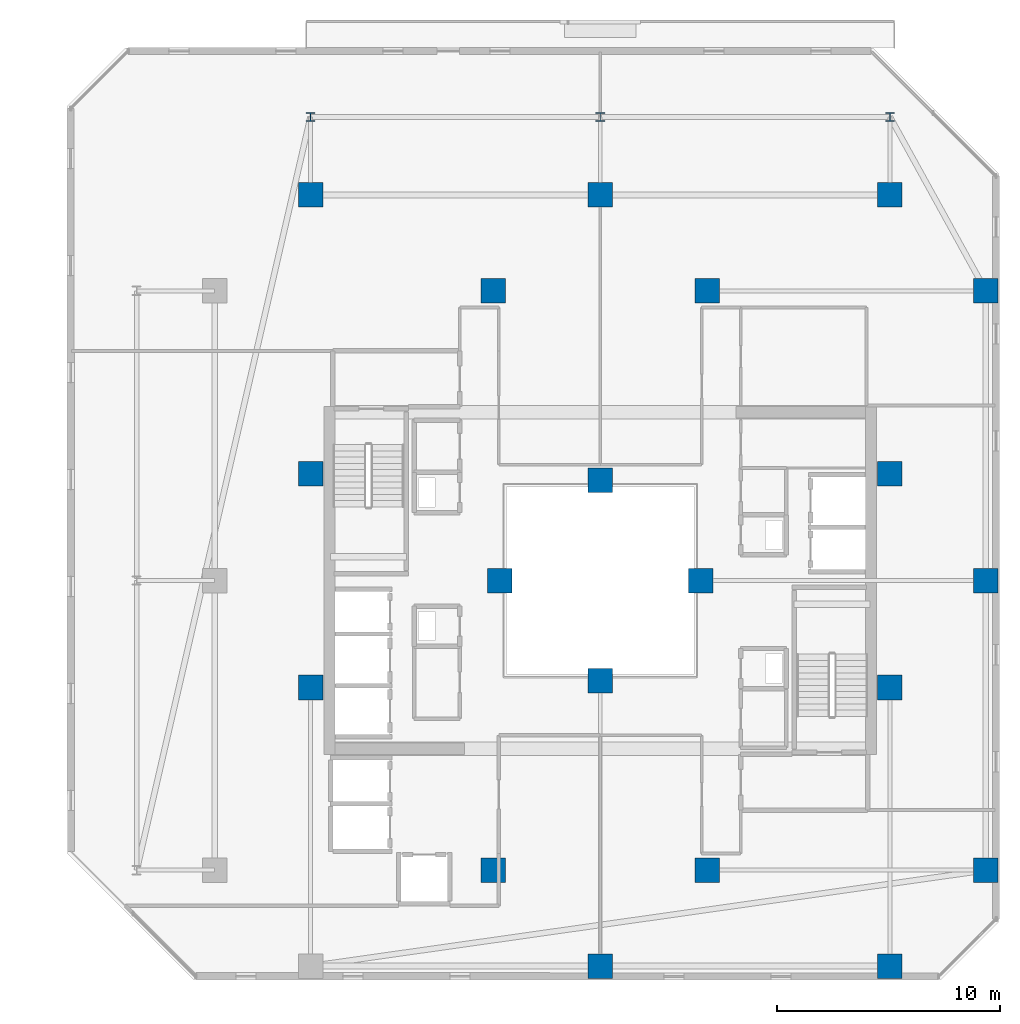
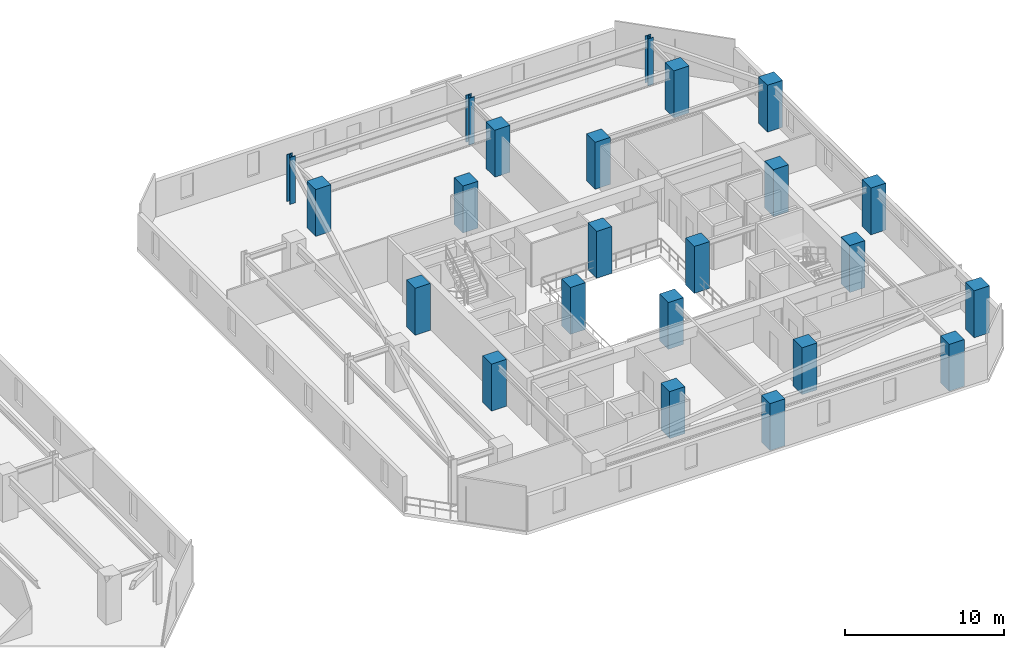
# One storey, part 2 of 32: 23 columns.
"""IFC4 building model written with IfcOpenShell, lengths in metres."""

from ifc_helpers import new_model, si_unit, direction, frame, origin, origin_2d, place, context, subcontext, project, spatial, rectangle, i_section, extrude, material, material_profile, profile_set, type_object, element, save


model = new_model("IFC4")

# Units and contexts
model_context = context("Model", 3, precision=1e-05, world=origin(), true_north=direction((0.0, 1.0)))
body_context = subcontext(model_context, "Body", "Model", "MODEL_VIEW")
ifc_project = project(units=[si_unit("LENGTHUNIT", "METRE"), si_unit("AREAUNIT", "SQUARE_METRE"), si_unit("VOLUMEUNIT", "CUBIC_METRE"), si_unit("PLANEANGLEUNIT", "RADIAN"), si_unit("MASSUNIT", "GRAM", prefix="KILO")], contexts=[model_context])

# Site, building, storey
site_placement = place(None, origin())
site = spatial("IfcSite", under=ifc_project, at=site_placement, CompositionType="ELEMENT")
building_placement = place(site_placement, origin())
building = spatial("IfcBuilding", under=site, at=building_placement, Name="Thornwick Lancets Civic Towers", CompositionType="ELEMENT")
storey_placement = place(building_placement, frame((0.0, 0.0, 182.10009765625)))
storey = spatial("IfcBuildingStorey", under=building, at=storey_placement, Name="L48", CompositionType="ELEMENT", Elevation=182.10009765625)

# Columns
ifc_material_1 = material(Name="Concrete C50/60", Category="concrete")
ifc_material_profile_1 = material_profile(ifc_material_1, rectangle(XDim=1.10009765625, YDim=1.10009765625, at=origin_2d()), Name="RC 1100x1100")
ifc_profile_set_1 = profile_set([ifc_material_profile_1], Name="Concrete C50/60")
column_type_1 = type_object("IfcColumnType", Name="COL_RC_1100", PredefinedType="COLUMN", material=ifc_profile_set_1)
for number, where, z_axis, x_axis, name in (
    (1, (105.800048828125, 14.0, 0.0), (0.0, 0.0, 1.0), (1.0, 0.0, 0.0), "L48 Spine Mega-Column B01"),
    (2, (105.800048828125, 27.0, 0.0), (0.0, 0.0, 1.0), (1.0, 0.0, 0.0), "L48 Spine Mega-Column B02"),
    (3, (105.800048828125, 40.0, 0.0), (0.0, 0.0, 1.0), (1.0, 0.0, 0.0), "L48 Spine Mega-Column B03"),
    (4, (101.5, 44.300048828125, 0.0), (0.0, 0.0, 1.0), (1.0, 0.0, 0.0), "L48 Spine Mega-Column B04"),
    (5, (88.5, 44.300048828125, 0.0), (0.0, 0.0, 1.0), (1.0, 0.0, 0.0), "L48 Spine Mega-Column B05"),
    (6, (75.5, 44.300048828125, 0.0), (0.0, 0.0, 1.0), (1.0, 0.0, 0.0), "L48 Spine Mega-Column B06"),
    (7, (101.5, 9.699951171875, 0.0), (0.0, 0.0, 1.0), (1.0, 0.0, 0.0), "L48 Spine Mega-Column B10"),
    (8, (88.5, 9.699951171875, 0.0), (0.0, 0.0, 1.0), (1.0, 0.0, 0.0), "L48 Spine Mega-Column B11"),
    (9, (93.300048828125, 14.0, 0.0), (0.0, 0.0, 1.0), (1.0, 0.0, 0.0), "L48 Spine Mega-Column B13"),
    (10, (93.300048828125, 40.0, 0.0), (0.0, 0.0, 1.0), (1.0, 0.0, 0.0), "L48 Spine Mega-Column B14"),
    (11, (83.699951171875, 14.0, 0.0), (0.0, 0.0, 1.0), (1.0, 0.0, 0.0), "L48 Spine Mega-Column B15"),
    (12, (83.699951171875, 40.0, 0.0), (0.0, 0.0, 1.0), (1.0, 0.0, 0.0), "L48 Spine Mega-Column B16"),
    (13, (101.5, 22.199951171875, 0.0), (0.0, 0.0, 1.0), (1.0, 0.0, 0.0), "L48 Spine Mega-Column B17"),
    (14, (101.5, 31.800048828125, 0.0), (0.0, 0.0, 1.0), (1.0, 0.0, 0.0), "L48 Spine Mega-Column B18"),
    (15, (75.5, 22.199951171875, 0.0), (0.0, 0.0, 1.0), (1.0, 0.0, 0.0), "L48 Spine Mega-Column B19"),
    (16, (75.5, 31.800048828125, 0.0), (0.0, 0.0, 1.0), (1.0, 0.0, 0.0), "L48 Spine Mega-Column B20"),
    (17, (93.0, 27.0, 0.0), (0.0, 0.0, 1.0), (1.0, 0.0, 0.0), "L48 Spine Mega-Column B21"),
    (18, (84.0, 27.0, 0.0), (0.0, 0.0, 1.0), (1.0, 0.0, 0.0), "L48 Spine Mega-Column B22"),
    (19, (88.5, 22.5, 0.0), (0.0, 0.0, 1.0), (1.0, 0.0, 0.0), "L48 Spine Mega-Column B23"),
    (20, (88.5, 31.5, 0.0), (0.0, 0.0, 1.0), (1.0, 0.0, 0.0), "L48 Spine Mega-Column B24"),
):
    element("IfcColumn", number, at=place(storey_placement, frame(where, z_axis=z_axis, x_axis=x_axis)), inside=storey, type_object=column_type_1, Name=name, PredefinedType="COLUMN", context=body_context, shape_type="SweptSolid", body=[
        extrude(rectangle(XDim=1.10009765625, YDim=1.10009765625, at=origin_2d()), origin(), (0.0, 0.0, 1.0), 3.599853515625),
    ])
ifc_material_2 = material(Name="Steel S460M", Category="steel")
ifc_material_profile_2 = material_profile(ifc_material_2, i_section(OverallWidth=0.406982421875, OverallDepth=0.4189453125, WebThickness=0.030517578125, FlangeThickness=0.04931640625, FilletRadius=0.01513671875, at=origin_2d()), Name="UKC 356x406x393")
ifc_profile_set_2 = profile_set([ifc_material_profile_2], Name="Steel S460M")
column_type_2 = type_object("IfcColumnType", Name="COL_UKC_393", PredefinedType="COLUMN", material=ifc_profile_set_2)
for number, where, z_axis, x_axis, name in (
    (21, (101.5, 47.800048828125, 0.0), (0.0, 0.0, 1.0), (1.0, 0.0, 0.0), "L48 Block Perimeter Column B04"),
    (22, (88.5, 47.800048828125, 0.0), (0.0, 0.0, 1.0), (1.0, 0.0, 0.0), "L48 Block Perimeter Column B05"),
    (23, (75.5, 47.800048828125, 0.0), (0.0, 0.0, 1.0), (1.0, 0.0, 0.0), "L48 Block Perimeter Column B06"),
):
    element("IfcColumn", number, at=place(storey_placement, frame(where, z_axis=z_axis, x_axis=x_axis)), inside=storey, type_object=column_type_2, Name=name, PredefinedType="COLUMN", context=body_context, shape_type="SweptSolid", body=[
        extrude(i_section(OverallWidth=0.406982421875, OverallDepth=0.4189453125, WebThickness=0.030517578125, FlangeThickness=0.04931640625, FilletRadius=0.01513671875, at=origin_2d()), origin(), (0.0, 0.0, 1.0), 3.599853515625),
    ])

save(model, "model.ifc")
